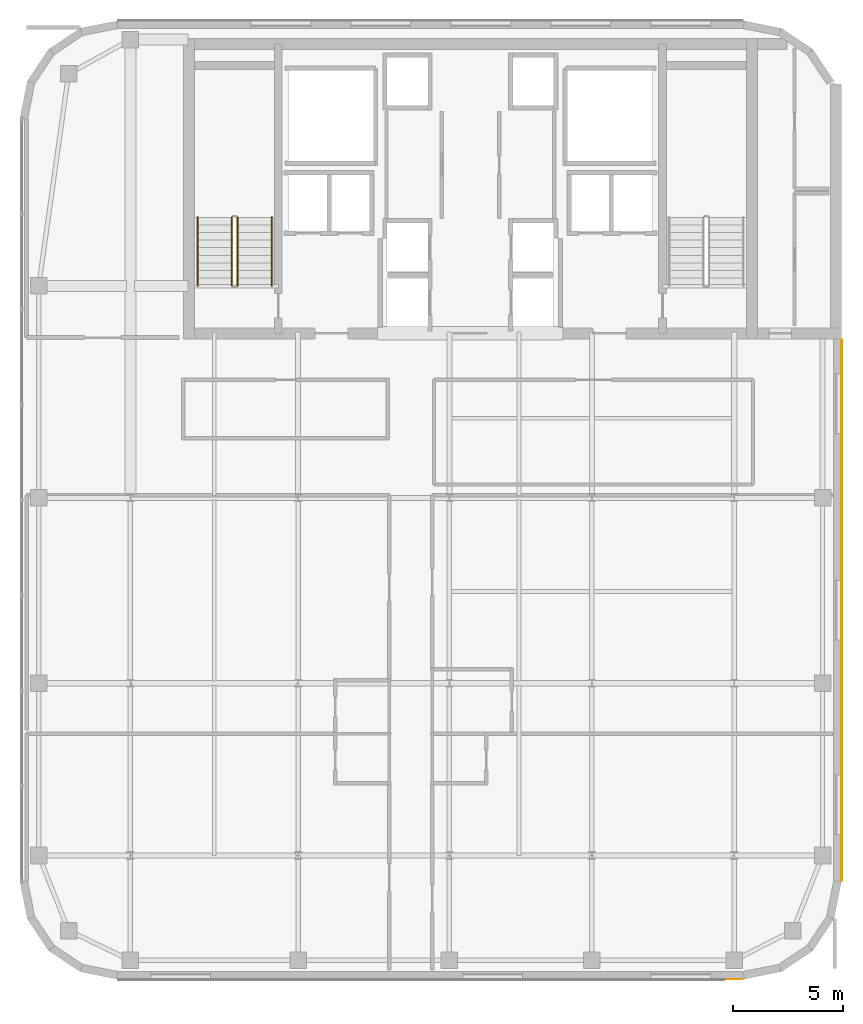
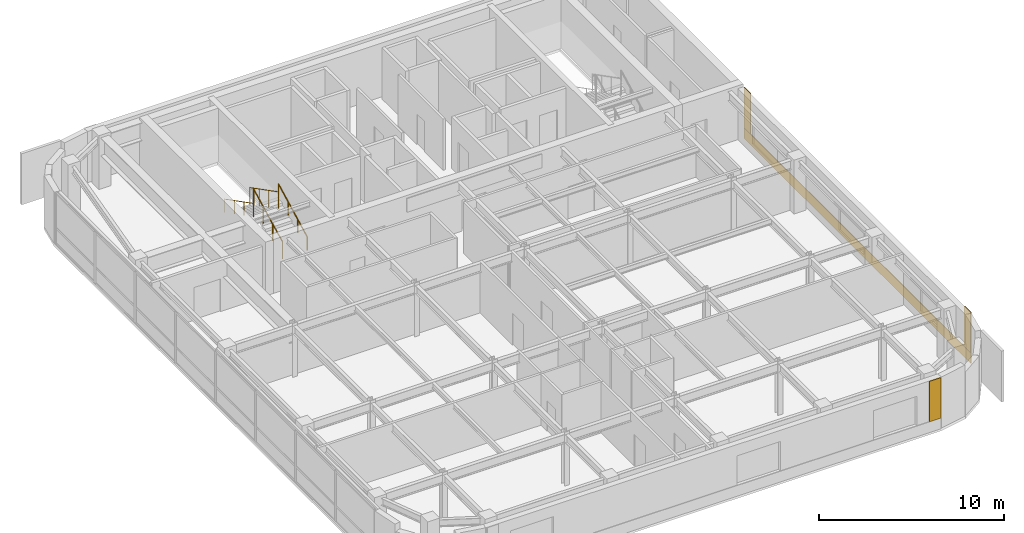
# One storey, part 20 of 21: 4 coverings, 4 railings.
"""IFC4 building model written with IfcOpenShell, lengths in metres."""

from ifc_helpers import new_model, si_unit, direction, frame, origin, origin_2d, place, context, subcontext, project, spatial, polyline, circle, outline, extrude, material, layer, layer_set, type_object, element, save


model = new_model("IFC4")

# Units and contexts
model_context = context("Model", 3, precision=1e-05, world=origin(), true_north=direction((0.0, 1.0)))
body_context = subcontext(model_context, "Body", "Model", "MODEL_VIEW")
ifc_project = project(units=[si_unit("LENGTHUNIT", "METRE"), si_unit("AREAUNIT", "SQUARE_METRE"), si_unit("VOLUMEUNIT", "CUBIC_METRE"), si_unit("PLANEANGLEUNIT", "RADIAN"), si_unit("MASSUNIT", "GRAM", prefix="KILO")], contexts=[model_context])

# Site, building, storey
site_placement = place(None, origin())
site = spatial("IfcSite", under=ifc_project, at=site_placement, CompositionType="ELEMENT")
building_placement = place(site_placement, origin())
building = spatial("IfcBuilding", under=site, at=building_placement, Name="Tolvann Quenvar Hotel", CompositionType="ELEMENT")
storey_placement = place(building_placement, frame((0.0, 0.0, 227.449951171875)))
storey = spatial("IfcBuildingStorey", under=building, at=storey_placement, Name="L60", CompositionType="ELEMENT", Elevation=227.449951171875)

# Coverings
ifc_material_1 = material(Name="Kiln-fired red architectural face brick cladding", Category="masonry")
ifc_layer_1 = layer(ifc_material_1, 0.0400390625)
ifc_layer_set_1 = layer_set([ifc_layer_1], Name="Kiln-fired red architectural face brick cladding")
covering_type_1 = type_object("IfcCoveringType", Name="COV_CLAD_BRICK_40", PredefinedType="CLADDING", material=ifc_layer_set_1)
covering_1_placement = place(storey_placement, frame((0.0, 0.0, 0.699951171875)))
element("IfcCovering", 1, at=covering_1_placement, inside=storey, type_object=covering_type_1, Name="Brick Pier Cladding (L60-E04-P2)", PredefinedType="CLADDING", context=body_context, shape_type="SweptSolid", body=[
    extrude(outline(polyline([(34.6328125, 2.60009765625), (35.332763671875, 2.60009765625), (35.332763671875, 2.56005859375), (34.6328125, 2.56005859375), (34.6328125, 2.60009765625)])), origin(), (0.0, 0.0, 1.0), 2.670166015625),
])
covering_2_placement = place(storey_placement, frame((0.0, 0.0, 0.699951171875)))
element("IfcCovering", 2, at=covering_2_placement, inside=storey, type_object=covering_type_1, Name="Brick Pier Cladding (L60-E09-P1)", PredefinedType="CLADDING", context=body_context, shape_type="SweptSolid", body=[
    extrude(outline(polyline([(39.800048828125, 7.067138671875), (39.800048828125, 7.76708984375), (39.840087890625, 7.76708984375), (39.840087890625, 7.067138671875), (39.800048828125, 7.067138671875)])), origin(), (0.0, 0.0, 1.0), 2.670166015625),
])
covering_3_placement = place(storey_placement, frame((0.0, 0.0, 0.699951171875)))
element("IfcCovering", 3, at=covering_3_placement, inside=storey, type_object=covering_type_1, Name="Brick Pier Cladding (L60-E09-P2)", PredefinedType="CLADDING", context=body_context, shape_type="SweptSolid", body=[
    extrude(outline(polyline([(39.800048828125, 30.845947265625), (39.800048828125, 31.5458984375), (39.840087890625, 31.5458984375), (39.840087890625, 30.845947265625), (39.800048828125, 30.845947265625)])), origin(), (0.0, 0.0, 1.0), 2.670166015625),
])
ifc_material_2 = material(Name="Moulded buff architectural terracotta spandrel cladding", Category="masonry")
ifc_layer_2 = layer(ifc_material_2, 0.0400390625)
ifc_layer_set_2 = layer_set([ifc_layer_2], Name="Moulded buff architectural terracotta spandrel cladding")
covering_type_2 = type_object("IfcCoveringType", Name="COV_CLAD_TERRA_40", PredefinedType="CLADDING", material=ifc_layer_set_2)
covering_4_placement = place(storey_placement, origin())
element("IfcCovering", 4, at=covering_4_placement, inside=storey, type_object=covering_type_2, Name="Terracotta Spandrel Cladding (L60-E09)", PredefinedType="CLADDING", context=body_context, shape_type="SweptSolid", body=[
    extrude(outline(polyline([(39.800048828125, 7.05712890625), (39.800048828125, 31.555908203125), (39.840087890625, 31.555908203125), (39.840087890625, 7.05712890625), (39.800048828125, 7.05712890625)])), origin(), (0.0, 0.0, 1.0), 0.699951171875),
])

# Railings
ifc_material_3 = material(Name="Brushed 316 stainless steel balustrade and handrail", Category="steel")
railing_type_1 = type_object("IfcRailingType", Name="GUARDRAIL", PredefinedType="GUARDRAIL", material=ifc_material_3)
railing_1_placement = place(storey_placement, frame((12.449951171875, 34.0, 0.177490234375)))
element("IfcRailing", 5, at=railing_1_placement, inside=storey, type_object=railing_type_1, Name="L60 ST-C1 stair guard 1", PredefinedType="GUARDRAIL", context=body_context, shape_type="SweptSolid", body=[
    extrude(circle(Radius=0.02392578125, at=origin_2d()), frame((0.0, 0.0, 1.09619140625), z_axis=(0.0, 0.88919353882, 0.457531256332), x_axis=(-1.0, 0.0, 0.0)), (0.0, 0.0, 1.0), 3.491943359375),
    extrude(circle(Radius=0.02099609375, at=origin_2d()), origin(), (0.0, 0.0, 1.0), 1.072021484375),
    extrude(circle(Radius=0.02099609375, at=origin_2d()), frame((0.0, 1.034912109375, 0.532470703125)), (0.0, 0.0, 1.0), 1.072021484375),
    extrude(circle(Radius=0.02099609375, at=origin_2d()), frame((0.0, 2.070068359375, 1.065185546875)), (0.0, 0.0, 1.0), 1.072021484375),
    extrude(circle(Radius=0.02099609375, at=origin_2d()), frame((0.0, 3.10498046875, 1.59765625)), (0.0, 0.0, 1.0), 1.072021484375),
])
railing_2_placement = place(storey_placement, frame((12.199951171875, 37.10498046875, 1.95263671875)))
element("IfcRailing", 6, at=railing_2_placement, inside=storey, type_object=railing_type_1, Name="L60 ST-C1 stair guard 3", PredefinedType="GUARDRAIL", context=body_context, shape_type="SweptSolid", body=[
    extrude(circle(Radius=0.02392578125, at=origin_2d()), frame((0.0, 0.0, 1.09619140625), z_axis=(0.0, -0.889221982265, 0.45747597342), x_axis=(1.0, 0.0, 0.0)), (0.0, 0.0, 1.0), 3.49169921875),
    extrude(circle(Radius=0.02099609375, at=origin_2d()), origin(), (0.0, 0.0, 1.0), 1.072021484375),
    extrude(circle(Radius=0.02099609375, at=origin_2d()), frame((0.0, -1.034912109375, 0.532470703125)), (0.0, 0.0, 1.0), 1.072021484375),
    extrude(circle(Radius=0.02099609375, at=origin_2d()), frame((0.0, -2.070068359375, 1.06494140625)), (0.0, 0.0, 1.0), 1.072021484375),
    extrude(circle(Radius=0.02099609375, at=origin_2d()), frame((0.0, -3.10498046875, 1.597412109375)), (0.0, 0.0, 1.0), 1.072021484375),
])
railing_type_2 = type_object("IfcRailingType", Name="HANDRAIL", PredefinedType="HANDRAIL", material=ifc_material_3)
railing_3_placement = place(storey_placement, frame((14.0, 34.0, 0.177490234375)))
element("IfcRailing", 7, at=railing_3_placement, inside=storey, type_object=railing_type_2, Name="L60 ST-C1 stair handrail 1", PredefinedType="HANDRAIL", context=body_context, shape_type="SweptSolid", body=[
    extrude(circle(Radius=0.02392578125, at=origin_2d()), frame((0.0, 0.0, 0.8759765625), z_axis=(0.0, 0.88919353882, 0.457531256332), x_axis=(-1.0, 0.0, 0.0)), (0.0, 0.0, 1.0), 3.491943359375),
    extrude(circle(Radius=0.02099609375, at=origin_2d()), origin(), (0.0, 0.0, 1.0), 0.851806640625),
    extrude(circle(Radius=0.02099609375, at=origin_2d()), frame((0.0, 1.034912109375, 0.532470703125)), (0.0, 0.0, 1.0), 0.851806640625),
    extrude(circle(Radius=0.02099609375, at=origin_2d()), frame((0.0, 2.070068359375, 1.065185546875)), (0.0, 0.0, 1.0), 0.851806640625),
    extrude(circle(Radius=0.02099609375, at=origin_2d()), frame((0.0, 3.10498046875, 1.59765625)), (0.0, 0.0, 1.0), 0.851806640625),
])
railing_4_placement = place(storey_placement, frame((10.64990234375, 37.10498046875, 1.95263671875)))
element("IfcRailing", 8, at=railing_4_placement, inside=storey, type_object=railing_type_2, Name="L60 ST-C1 stair handrail 2", PredefinedType="HANDRAIL", context=body_context, shape_type="SweptSolid", body=[
    extrude(circle(Radius=0.02392578125, at=origin_2d()), frame((0.0, 0.0, 0.8759765625), z_axis=(0.0, -0.889221982265, 0.45747597342), x_axis=(1.0, 0.0, 0.0)), (0.0, 0.0, 1.0), 3.49169921875),
    extrude(circle(Radius=0.02099609375, at=origin_2d()), origin(), (0.0, 0.0, 1.0), 0.851806640625),
    extrude(circle(Radius=0.02099609375, at=origin_2d()), frame((0.0, -1.034912109375, 0.532470703125)), (0.0, 0.0, 1.0), 0.851806640625),
    extrude(circle(Radius=0.02099609375, at=origin_2d()), frame((0.0, -2.070068359375, 1.06494140625)), (0.0, 0.0, 1.0), 0.851806640625),
    extrude(circle(Radius=0.02099609375, at=origin_2d()), frame((0.0, -3.10498046875, 1.597412109375)), (0.0, 0.0, 1.0), 0.851806640625),
])

save(model, "model.ifc")
